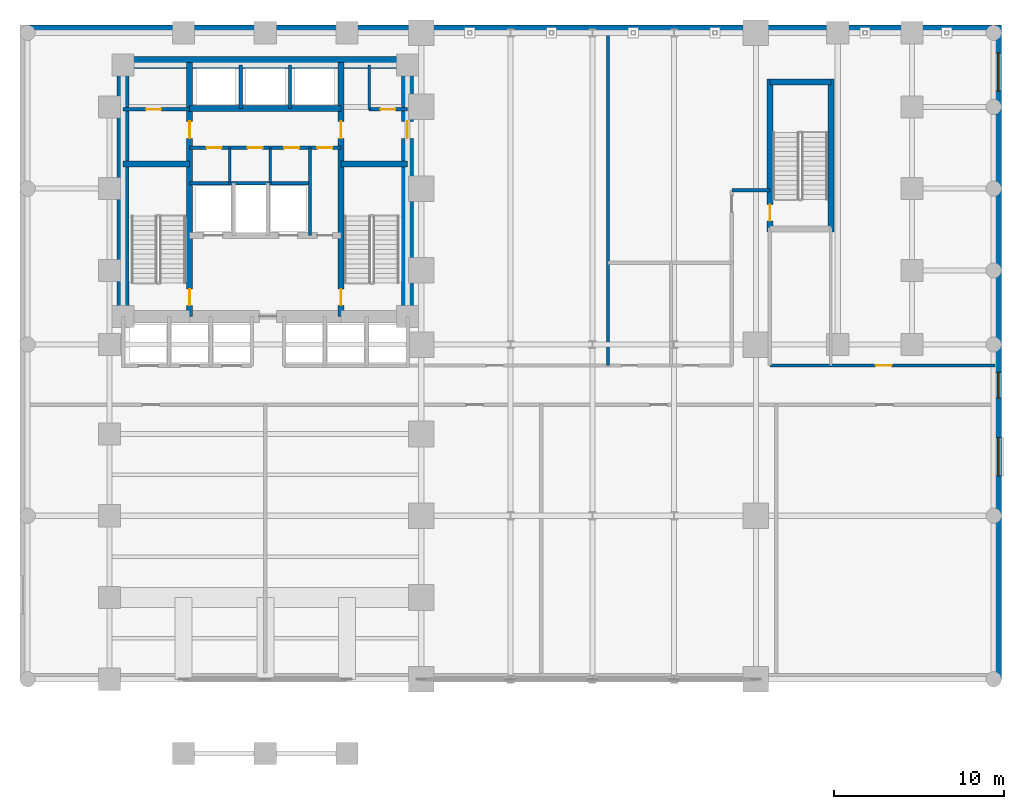
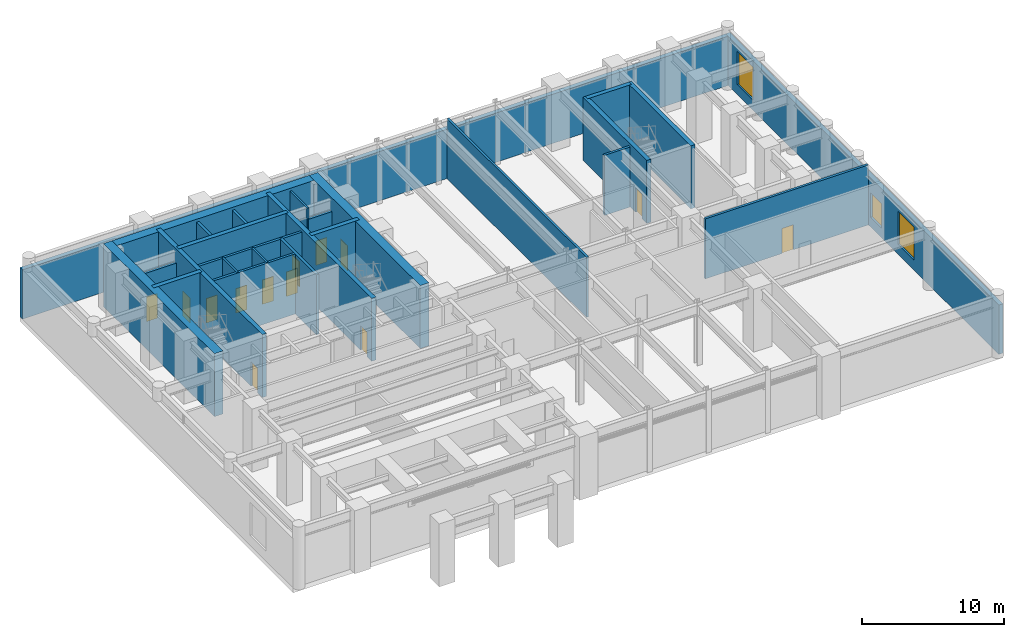
# One storey, part 7 of 10: 26 walls, 13 doors, 3 windows, 16 openings.
"""IFC4 building model written with IfcOpenShell, lengths in metres."""

from ifc_helpers import new_model, si_unit, direction, frame, frame_2d, origin, place, context, subcontext, project, spatial, rectangle, extrude, material, layer, layer_set, type_object, element, fill, save


model = new_model("IFC4")

# Units and contexts
model_context = context("Model", 3, precision=1e-05, world=origin(), true_north=direction((0.0, 1.0)))
body_context = subcontext(model_context, "Body", "Model", "MODEL_VIEW")
ifc_project = project(units=[si_unit("LENGTHUNIT", "METRE"), si_unit("AREAUNIT", "SQUARE_METRE"), si_unit("VOLUMEUNIT", "CUBIC_METRE"), si_unit("PLANEANGLEUNIT", "RADIAN"), si_unit("MASSUNIT", "GRAM", prefix="KILO")], contexts=[model_context])

# Site, building, storey
site_placement = place(None, origin())
site = spatial("IfcSite", under=ifc_project, at=site_placement, CompositionType="ELEMENT")
building_placement = place(site_placement, origin())
building = spatial("IfcBuilding", under=site, at=building_placement, Name="Orvandelia Arch Residences", CompositionType="ELEMENT")
storey_placement = place(building_placement, frame((0.0, 0.0, 19.60009765625)))
storey = spatial("IfcBuildingStorey", under=building, at=storey_placement, Name="L04", CompositionType="ELEMENT", Elevation=19.60009765625)

# Wall, openings, doors
ifc_material_1 = material(Name="Concrete C50/60", Category="concrete")
ifc_layer_1 = layer(ifc_material_1, 0.35009765625, Name="Concrete C50/60", Category="concrete")
ifc_layer_set_1 = layer_set([ifc_layer_1], Name="Concrete C50/60")
wall_type_1 = type_object("IfcWallType", Name="WL-CORE-350", PredefinedType="SHEAR", material=ifc_layer_set_1)
wall_1_placement = place(storey_placement, frame((9.9599609375, 30.89990234375, 0.0), z_axis=(0.0, 0.0, 1.0), x_axis=(0.0, 1.0, 0.0)))
wall_1 = element("IfcWall", 1, at=wall_1_placement, inside=storey, type_object=wall_type_1, Name="Core Shear Wall L04-WEB1", PredefinedType="SHEAR", context=body_context, shape_type="SweptSolid", body=[
    extrude(rectangle(XDim=14.900146484375, YDim=0.35009765625, at=frame_2d((7.4501953125, 0.0))), origin(), (0.0, 0.0, 1.0), 5.39990234375),
])
opening_1_placement = place(wall_1_placement, frame((0.64990234375, 0.0, 0.0)))
opening_1 = element("IfcOpeningElement", 2, at=opening_1_placement, cuts=wall_1, Name="Opening D7", PredefinedType="OPENING", context=body_context, shape_type="SweptSolid", body=[
    extrude(rectangle(XDim=0.949951171875, YDim=2.10009765625, at=frame_2d((0.47509765625, 1.050048828125))), frame((0.0, 0.18505859375, 0.0), z_axis=(0.0, -1.0, 0.0), x_axis=(1.0, 0.0, 0.0)), (0.0, 0.0, 1.0), 0.3701171875),
])
opening_2_placement = place(wall_1_placement, frame((10.449951171875, 0.0, 0.0)))
opening_2 = element("IfcOpeningElement", 3, at=opening_2_placement, cuts=wall_1, Name="Opening D6", PredefinedType="OPENING", context=body_context, shape_type="SweptSolid", body=[
    extrude(rectangle(XDim=1.0, YDim=2.14990234375, at=frame_2d((0.5, 1.074951171875))), frame((0.0, 0.18505859375, 0.0), z_axis=(0.0, -1.0, 0.0), x_axis=(1.0, 0.0, 0.0)), (0.0, 0.0, 1.0), 0.3701171875),
])
ifc_material_2 = material(Name="Smokeproof Painted Steel Fire Door", Category="steel")
door_type_1 = type_object("IfcDoorType", Name="DR-FD60-1000", OperationType="NOTDEFINED", PredefinedType="DOOR", material=ifc_material_2)
door_1_placement = place(opening_2_placement, origin())
door_1 = element("IfcDoor", 4, at=door_1_placement, inside=storey, type_object=door_type_1, Name="High-Rise Lift Hall West Vestibule Door L04", OperationType="SINGLE_SWING_LEFT", OverallHeight=2.14990234375, OverallWidth=1.0, PredefinedType="DOOR", context=body_context, shape_type="SweptSolid", body=[
    extrude(rectangle(XDim=1.0, YDim=2.14990234375, at=frame_2d((0.5, 1.074951171875))), frame((0.0, 0.02490234375, 0.0), z_axis=(0.0, -1.0, 0.0), x_axis=(1.0, 0.0, 0.0)), (0.0, 0.0, 1.0), 0.050048828125),
])
fill(opening_2, door_1)
ifc_material_3 = material(Name="Pressurised Stairwell Fire Door")
door_type_2 = type_object("IfcDoorType", Name="DR-STAIR-950", OperationType="NOTDEFINED", PredefinedType="DOOR", material=ifc_material_3)
door_2_placement = place(opening_1_placement, origin())
door_2 = element("IfcDoor", 5, at=door_2_placement, inside=storey, type_object=door_type_2, Name="Stairwell ST-1 Fire Door L04", OperationType="SINGLE_SWING_LEFT", OverallHeight=2.10009765625, OverallWidth=0.949951171875, PredefinedType="DOOR", context=body_context, shape_type="SweptSolid", body=[
    extrude(rectangle(XDim=0.949951171875, YDim=2.10009765625, at=frame_2d((0.47509765625, 1.050048828125))), frame((0.0, 0.02490234375, 0.0), z_axis=(0.0, -1.0, 0.0), x_axis=(1.0, 0.0, 0.0)), (0.0, 0.0, 1.0), 0.050048828125),
])
fill(opening_1, door_2)

wall_2_placement = place(storey_placement, frame((18.840087890625, 30.89990234375, 0.0), z_axis=(0.0, 0.0, 1.0), x_axis=(0.0, 1.0, 0.0)))
wall_2 = element("IfcWall", 6, at=wall_2_placement, inside=storey, type_object=wall_type_1, Name="Core Shear Wall L04-WEB2", PredefinedType="SHEAR", context=body_context, shape_type="SweptSolid", body=[
    extrude(rectangle(XDim=14.900146484375, YDim=0.35009765625, at=frame_2d((7.4501953125, 0.0))), origin(), (0.0, 0.0, 1.0), 5.39990234375),
])
opening_3_placement = place(wall_2_placement, frame((0.64990234375, 0.0, 0.0)))
opening_3 = element("IfcOpeningElement", 7, at=opening_3_placement, cuts=wall_2, Name="Opening D7", PredefinedType="OPENING", context=body_context, shape_type="SweptSolid", body=[
    extrude(rectangle(XDim=0.949951171875, YDim=2.10009765625, at=frame_2d((0.47509765625, 1.050048828125))), frame((0.0, 0.18505859375, 0.0), z_axis=(0.0, -1.0, 0.0), x_axis=(1.0, 0.0, 0.0)), (0.0, 0.0, 1.0), 0.3701171875),
])
opening_4_placement = place(wall_2_placement, frame((10.449951171875, 0.0, 0.0)))
opening_4 = element("IfcOpeningElement", 8, at=opening_4_placement, cuts=wall_2, Name="Opening D6", PredefinedType="OPENING", context=body_context, shape_type="SweptSolid", body=[
    extrude(rectangle(XDim=1.0, YDim=2.14990234375, at=frame_2d((0.5, 1.074951171875))), frame((0.0, 0.18505859375, 0.0), z_axis=(0.0, -1.0, 0.0), x_axis=(1.0, 0.0, 0.0)), (0.0, 0.0, 1.0), 0.3701171875),
])
door_3_placement = place(opening_4_placement, origin())
door_3 = element("IfcDoor", 9, at=door_3_placement, inside=storey, type_object=door_type_1, Name="High-Rise Lift Hall East Vestibule Door L04", OperationType="SINGLE_SWING_RIGHT", OverallHeight=2.14990234375, OverallWidth=1.0, PredefinedType="DOOR", context=body_context, shape_type="SweptSolid", body=[
    extrude(rectangle(XDim=1.0, YDim=2.14990234375, at=frame_2d((0.5, 1.074951171875))), frame((0.0, 0.02490234375, 0.0), z_axis=(0.0, -1.0, 0.0), x_axis=(1.0, 0.0, 0.0)), (0.0, 0.0, 1.0), 0.050048828125),
])
fill(opening_4, door_3)
door_4_placement = place(opening_3_placement, origin())
door_4 = element("IfcDoor", 10, at=door_4_placement, inside=storey, type_object=door_type_2, Name="Stairwell ST-2 Fire Door L04", OperationType="SINGLE_SWING_RIGHT", OverallHeight=2.10009765625, OverallWidth=0.949951171875, PredefinedType="DOOR", context=body_context, shape_type="SweptSolid", body=[
    extrude(rectangle(XDim=0.949951171875, YDim=2.10009765625, at=frame_2d((0.47509765625, 1.050048828125))), frame((0.0, 0.02490234375, 0.0), z_axis=(0.0, -1.0, 0.0), x_axis=(1.0, 0.0, 0.0)), (0.0, 0.0, 1.0), 0.050048828125),
])
fill(opening_3, door_4)

# Walls
for number, where, z_axis, x_axis, name in (
    (11, (6.050048828125, 39.85009765625, 0.0), (0.0, 0.0, 1.0), (1.0, 0.0, 0.0), "Core Shear Wall L04-HZ1"),
    (12, (18.840087890625, 39.85009765625, 0.0), (0.0, 0.0, 1.0), (1.0, 0.0, 0.0), "Core Shear Wall L04-HZ2"),
):
    element("IfcWall", number, at=place(storey_placement, frame(where, z_axis=z_axis, x_axis=x_axis)), inside=storey, type_object=wall_type_1, Name=name, PredefinedType="SHEAR", context=body_context, shape_type="SweptSolid", body=[
        extrude(rectangle(XDim=3.909912109375, YDim=0.35009765625, at=frame_2d((1.955078125, 0.0))), origin(), (0.0, 0.0, 1.0), 5.39990234375),
    ])
wall_3_placement = place(storey_placement, frame((9.9599609375, 43.10009765625, 0.0), z_axis=(0.0, 0.0, 1.0), x_axis=(1.0, 0.0, 0.0)))
element("IfcWall", 13, at=wall_3_placement, inside=storey, type_object=wall_type_1, Name="Core Shear Wall L04-HZ4", PredefinedType="SHEAR", context=body_context, shape_type="SweptSolid", body=[
    extrude(rectangle(XDim=8.880126953125, YDim=0.35009765625, at=frame_2d((4.43994140625, 0.0))), origin(), (0.0, 0.0, 1.0), 5.39990234375),
])

# Wall, opening, door
wall_4_placement = place(storey_placement, frame((44.02001953125, 35.864990234375, 0.0), z_axis=(0.0, 0.0, 1.0), x_axis=(0.0, 1.0, 0.0)))
wall_4 = element("IfcWall", 14, at=wall_4_placement, inside=storey, type_object=wall_type_1, Name="East Stair Core Shear Wall L04-W", PredefinedType="SHEAR", context=body_context, shape_type="SweptSolid", body=[
    extrude(rectangle(XDim=8.969970703125, YDim=0.35009765625, at=frame_2d((4.48486328125, 0.0))), origin(), (0.0, 0.0, 1.0), 5.39990234375),
])
opening_5_placement = place(wall_4_placement, frame((0.64990234375, 0.0, 0.0)))
opening_5 = element("IfcOpeningElement", 15, at=opening_5_placement, cuts=wall_4, Name="Opening D7", PredefinedType="OPENING", context=body_context, shape_type="SweptSolid", body=[
    extrude(rectangle(XDim=0.949951171875, YDim=2.10009765625, at=frame_2d((0.47509765625, 1.050048828125))), frame((0.0, 0.18505859375, 0.0), z_axis=(0.0, -1.0, 0.0), x_axis=(1.0, 0.0, 0.0)), (0.0, 0.0, 1.0), 0.3701171875),
])
door_5_placement = place(opening_5_placement, origin())
door_5 = element("IfcDoor", 16, at=door_5_placement, inside=storey, type_object=door_type_2, Name="East Stairwell ST-3 Fire Door L04", OperationType="SINGLE_SWING_LEFT", OverallHeight=2.10009765625, OverallWidth=0.949951171875, PredefinedType="DOOR", context=body_context, shape_type="SweptSolid", body=[
    extrude(rectangle(XDim=0.949951171875, YDim=2.10009765625, at=frame_2d((0.47509765625, 1.050048828125))), frame((0.0, 0.02490234375, 0.0), z_axis=(0.0, -1.0, 0.0), x_axis=(1.0, 0.0, 0.0)), (0.0, 0.0, 1.0), 0.050048828125),
])
fill(opening_5, door_5)

# Walls
wall_5_placement = place(storey_placement, frame((47.60009765625, 35.864990234375, 0.0), z_axis=(0.0, 0.0, 1.0), x_axis=(0.0, 1.0, 0.0)))
element("IfcWall", 17, at=wall_5_placement, inside=storey, type_object=wall_type_1, Name="East Stair Core Shear Wall L04-E", PredefinedType="SHEAR", context=body_context, shape_type="SweptSolid", body=[
    extrude(rectangle(XDim=8.969970703125, YDim=0.35009765625, at=frame_2d((4.48486328125, 0.0))), origin(), (0.0, 0.0, 1.0), 5.39990234375),
])
wall_6_placement = place(storey_placement, frame((44.02001953125, 44.659912109375, 0.0), z_axis=(0.0, 0.0, 1.0), x_axis=(1.0, 0.0, 0.0)))
element("IfcWall", 18, at=wall_6_placement, inside=storey, type_object=wall_type_1, Name="East Stair Core Shear Wall L04-N", PredefinedType="SHEAR", context=body_context, shape_type="SweptSolid", body=[
    extrude(rectangle(XDim=3.580078125, YDim=0.35009765625, at=frame_2d((1.7900390625, 0.0))), origin(), (0.0, 0.0, 1.0), 5.39990234375),
])
ifc_material_4 = material(Name="Concrete C80/95", Category="concrete")
ifc_layer_2 = layer(ifc_material_4, 0.699951171875, Name="Concrete C80/95", Category="concrete")
ifc_layer_set_2 = layer_set([ifc_layer_2], Name="Concrete C80/95")
wall_type_2 = type_object("IfcWallType", Name="WL-CORE-700", PredefinedType="SHEAR", material=ifc_layer_set_2)
wall_7_placement = place(storey_placement, frame((6.050048828125, 30.550048828125, 0.0), z_axis=(0.0, 0.0, 1.0), x_axis=(0.0, 1.0, 0.0)))
element("IfcWall", 19, at=wall_7_placement, inside=storey, type_object=wall_type_2, Name="Core Shear Wall L04-W", PredefinedType="SHEAR", context=body_context, shape_type="SweptSolid", body=[
    extrude(rectangle(XDim=15.599853515625, YDim=0.699951171875, at=frame_2d((7.7998046875, 0.0))), origin(), (0.0, 0.0, 1.0), 5.39990234375),
])

# Wall, opening, door
wall_8_placement = place(storey_placement, frame((22.75, 30.550048828125, 0.0), z_axis=(0.0, 0.0, 1.0), x_axis=(0.0, 1.0, 0.0)))
wall_8 = element("IfcWall", 20, at=wall_8_placement, inside=storey, type_object=wall_type_2, Name="Core Shear Wall L04-E", PredefinedType="SHEAR", context=body_context, shape_type="SweptSolid", body=[
    extrude(rectangle(XDim=15.599853515625, YDim=0.699951171875, at=frame_2d((7.7998046875, 0.0))), origin(), (0.0, 0.0, 1.0), 5.39990234375),
])
opening_6_placement = place(wall_8_placement, frame((10.800048828125, 0.0, 0.0)))
opening_6 = element("IfcOpeningElement", 21, at=opening_6_placement, cuts=wall_8, Name="Opening D6", PredefinedType="OPENING", context=body_context, shape_type="SweptSolid", body=[
    extrude(rectangle(XDim=1.0, YDim=2.14990234375, at=frame_2d((0.5, 1.074951171875))), frame((0.0, 0.35986328125, 0.0), z_axis=(0.0, -1.0, 0.0), x_axis=(1.0, 0.0, 0.0)), (0.0, 0.0, 1.0), 0.719970703125),
])
door_6_placement = place(opening_6_placement, origin())
door_6 = element("IfcDoor", 22, at=door_6_placement, inside=storey, type_object=door_type_1, Name="Core East Corridor Link Door L04", OperationType="SINGLE_SWING_LEFT", OverallHeight=2.14990234375, OverallWidth=1.0, PredefinedType="DOOR", context=body_context, shape_type="SweptSolid", body=[
    extrude(rectangle(XDim=1.0, YDim=2.14990234375, at=frame_2d((0.5, 1.074951171875))), frame((0.0, 0.02490234375, 0.0), z_axis=(0.0, -1.0, 0.0), x_axis=(1.0, 0.0, 0.0)), (0.0, 0.0, 1.0), 0.050048828125),
])
fill(opening_6, door_6)

# Wall
wall_9_placement = place(storey_placement, frame((6.050048828125, 45.800048828125, 0.0), z_axis=(0.0, 0.0, 1.0), x_axis=(1.0, 0.0, 0.0)))
element("IfcWall", 23, at=wall_9_placement, inside=storey, type_object=wall_type_2, Name="Core Shear Wall L04-N", PredefinedType="SHEAR", context=body_context, shape_type="SweptSolid", body=[
    extrude(rectangle(XDim=16.699951171875, YDim=0.699951171875, at=frame_2d((8.35009765625, 0.0))), origin(), (0.0, 0.0, 1.0), 5.39990234375),
])

# Wall, opening, door
ifc_material_5 = material(Name="Fire-Rated Corridor Partition")
ifc_layer_3 = layer(ifc_material_5, 0.199951171875, Name="Fire-Rated Corridor Partition")
ifc_layer_set_3 = layer_set([ifc_layer_3], Name="Fire-Rated Corridor Partition")
wall_type_3 = type_object("IfcWallType", Name="WL-CORR-200", PredefinedType="PARTITIONING", material=ifc_layer_set_3)
wall_10_placement = place(storey_placement, frame((44.02001953125, 28.02001953125, 0.0), z_axis=(0.0, 0.0, 1.0), x_axis=(1.0, 0.0, 0.0)))
wall_10 = element("IfcWall", 24, at=wall_10_placement, inside=storey, type_object=wall_type_3, Name="Interior Partition Wall WL-L04-BRG-N2", PredefinedType="PARTITIONING", context=body_context, shape_type="SweptSolid", body=[
    extrude(rectangle(XDim=13.219970703125, YDim=0.199951171875, at=frame_2d((6.60986328125, 0.0))), origin(), (0.0, 0.0, 1.0), 5.14990234375),
])
opening_7_placement = place(wall_10_placement, frame((6.199951171875, 0.0, 0.0)))
opening_7 = element("IfcOpeningElement", 25, at=opening_7_placement, cuts=wall_10, Name="Opening D2", PredefinedType="OPENING", context=body_context, shape_type="SweptSolid", body=[
    extrude(rectangle(XDim=0.949951171875, YDim=2.14990234375, at=frame_2d((0.47509765625, 1.074951171875))), frame((0.0, 0.10986328125, 0.0), z_axis=(0.0, -1.0, 0.0), x_axis=(1.0, 0.0, 0.0)), (0.0, 0.0, 1.0), 0.219970703125),
])
ifc_material_6 = material(Name="Solid-Core Timber Interior Fire Door", Category="wood")
door_type_3 = type_object("IfcDoorType", Name="DR-APT-950", OperationType="NOTDEFINED", PredefinedType="DOOR", material=ifc_material_6)
door_7_placement = place(opening_7_placement, origin())
door_7 = element("IfcDoor", 26, at=door_7_placement, inside=storey, type_object=door_type_3, Name="DR-L04-PNE1", OperationType="SINGLE_SWING_LEFT", OverallHeight=2.14990234375, OverallWidth=0.949951171875, PredefinedType="DOOR", context=body_context, shape_type="SweptSolid", body=[
    extrude(rectangle(XDim=0.949951171875, YDim=2.14990234375, at=frame_2d((0.47509765625, 1.074951171875))), frame((0.0, 0.02490234375, 0.0), z_axis=(0.0, -1.0, 0.0), x_axis=(1.0, 0.0, 0.0)), (0.0, 0.0, 1.0), 0.050048828125),
])
fill(opening_7, door_7)

# Walls
wall_11_placement = place(storey_placement, frame((41.780029296875, 38.300048828125, 0.0), z_axis=(0.0, 0.0, 1.0), x_axis=(1.0, 0.0, 0.0)))
element("IfcWall", 27, at=wall_11_placement, inside=storey, type_object=wall_type_3, Name="Interior Partition Wall WL-L04-BRG-SN", PredefinedType="PARTITIONING", context=body_context, shape_type="SweptSolid", body=[
    extrude(rectangle(XDim=2.239990234375, YDim=0.199951171875, at=frame_2d((1.1201171875, 0.0))), origin(), (0.0, 0.0, 1.0), 5.14990234375),
])
ifc_material_7 = material(Name="Precast concrete C40/50", Category="concrete")
ifc_layer_4 = layer(ifc_material_7, 0.35009765625, Name="Precast concrete C40/50", Category="concrete")
ifc_layer_set_4 = layer_set([ifc_layer_4], Name="Precast concrete C40/50")
wall_type_4 = type_object("IfcWallType", Name="WL-EXT-POD-350", PredefinedType="STANDARD", material=ifc_layer_set_4)
wall_12_placement = place(storey_placement, frame((0.0, 47.824951171875, 0.0), z_axis=(0.0, 0.0, 1.0), x_axis=(1.0, 0.0, 0.0)))
element("IfcWall", 28, at=wall_12_placement, inside=storey, type_object=wall_type_4, Name="Coral-Limestone Precast Facade Wall L04-001", PredefinedType="STANDARD", context=body_context, shape_type="SweptSolid", body=[
    extrude(rectangle(XDim=57.60009765625, YDim=0.35009765625, at=frame_2d((28.800048828125, 0.0))), origin(), (0.0, 0.0, 1.0), 4.22998046875),
])

# Wall, openings, windows
wall_13_placement = place(storey_placement, frame((57.425048828125, 48.0, 0.0), z_axis=(0.0, 0.0, 1.0), x_axis=(0.0, -1.0, 0.0)))
wall_13 = element("IfcWall", 29, at=wall_13_placement, inside=storey, type_object=wall_type_4, Name="Coral-Limestone Precast Facade Wall L04-002", PredefinedType="STANDARD", context=body_context, shape_type="SweptSolid", body=[
    extrude(rectangle(XDim=38.39990234375, YDim=0.35009765625, at=frame_2d((19.199951171875, 0.0))), origin(), (0.0, 0.0, 1.0), 4.22998046875),
])
opening_8_placement = place(wall_13_placement, frame((20.389892578125, 0.0, 0.85009765625)))
opening_8 = element("IfcOpeningElement", 30, at=opening_8_placement, cuts=wall_13, Name="Opening W2", PredefinedType="OPENING", context=body_context, shape_type="SweptSolid", body=[
    extrude(rectangle(XDim=1.5, YDim=2.10009765625, at=frame_2d((0.75, 1.050048828125))), frame((0.0, 0.18505859375, 0.0), z_axis=(0.0, -1.0, 0.0), x_axis=(1.0, 0.0, 0.0)), (0.0, 0.0, 1.0), 0.3701171875),
])
opening_9_placement = place(wall_13_placement, frame((1.625, 0.0, 0.85009765625)))
opening_9 = element("IfcOpeningElement", 31, at=opening_9_placement, cuts=wall_13, Name="Opening W13", PredefinedType="OPENING", context=body_context, shape_type="SweptSolid", body=[
    extrude(rectangle(XDim=2.25, YDim=2.85009765625, at=frame_2d((1.125, 1.425048828125))), frame((0.0, 0.18505859375, 0.0), z_axis=(0.0, -1.0, 0.0), x_axis=(1.0, 0.0, 0.0)), (0.0, 0.0, 1.0), 0.3701171875),
])
opening_10_placement = place(wall_13_placement, frame((24.2099609375, 0.0, 0.85009765625)))
opening_10 = element("IfcOpeningElement", 32, at=opening_10_placement, cuts=wall_13, Name="Opening W13", PredefinedType="OPENING", context=body_context, shape_type="SweptSolid", body=[
    extrude(rectangle(XDim=2.25, YDim=2.85009765625, at=frame_2d((1.125, 1.425048828125))), frame((0.0, 0.18505859375, 0.0), z_axis=(0.0, -1.0, 0.0), x_axis=(1.0, 0.0, 0.0)), (0.0, 0.0, 1.0), 0.3701171875),
])
ifc_material_8 = material(Name="Laminated Acoustic Double Glazing", Category="glass")
window_type_1 = type_object("IfcWindowType", Name="WIN-GAL-2250x2850", PartitioningType="SINGLE_PANEL", PredefinedType="WINDOW", material=ifc_material_8)
window_1_placement = place(opening_9_placement, origin())
window_1 = element("IfcWindow", 33, at=window_1_placement, inside=storey, type_object=window_type_1, Name="Recessed Punched Window L04-002", OverallHeight=2.85009765625, OverallWidth=2.25, PartitioningType="SINGLE_PANEL", PredefinedType="WINDOW", context=body_context, shape_type="SweptSolid", body=[
    extrude(rectangle(XDim=2.25, YDim=2.85009765625, at=frame_2d((1.125, 1.425048828125))), frame((0.0, 0.030029296875, 0.0), z_axis=(0.0, -1.0, 0.0), x_axis=(1.0, 0.0, 0.0)), (0.0, 0.0, 1.0), 0.06005859375),
])
fill(opening_9, window_1)
window_2_placement = place(opening_10_placement, origin())
window_2 = element("IfcWindow", 34, at=window_2_placement, inside=storey, type_object=window_type_1, Name="Recessed Punched Window L04-003", OverallHeight=2.85009765625, OverallWidth=2.25, PartitioningType="SINGLE_PANEL", PredefinedType="WINDOW", context=body_context, shape_type="SweptSolid", body=[
    extrude(rectangle(XDim=2.25, YDim=2.85009765625, at=frame_2d((1.125, 1.425048828125))), frame((0.0, 0.030029296875, 0.0), z_axis=(0.0, -1.0, 0.0), x_axis=(1.0, 0.0, 0.0)), (0.0, 0.0, 1.0), 0.06005859375),
])
fill(opening_10, window_2)
ifc_material_9 = material(Name="Tempered Low-E Insulated Glazing", Category="glass")
window_type_2 = type_object("IfcWindowType", Name="WIN-RES-1500x2100", PartitioningType="SINGLE_PANEL", PredefinedType="WINDOW", material=ifc_material_9)
window_3_placement = place(opening_8_placement, origin())
window_3 = element("IfcWindow", 35, at=window_3_placement, inside=storey, type_object=window_type_2, Name="Recessed Punched Window L04-001", OverallHeight=2.10009765625, OverallWidth=1.5, PartitioningType="SINGLE_PANEL", PredefinedType="WINDOW", context=body_context, shape_type="SweptSolid", body=[
    extrude(rectangle(XDim=1.5, YDim=2.10009765625, at=frame_2d((0.75, 1.050048828125))), frame((0.0, 0.030029296875, 0.0), z_axis=(0.0, -1.0, 0.0), x_axis=(1.0, 0.0, 0.0)), (0.0, 0.0, 1.0), 0.06005859375),
])
fill(opening_8, window_3)

# Walls
ifc_material_10 = material(Name="Acoustic Gypsum Stud Partition")
ifc_layer_5 = layer(ifc_material_10, 0.14990234375, Name="Acoustic Gypsum Stud Partition")
ifc_layer_set_5 = layer_set([ifc_layer_5], Name="Acoustic Gypsum Stud Partition")
wall_type_5 = type_object("IfcWallType", Name="WL-PART-150", PredefinedType="PARTITIONING", material=ifc_layer_set_5)
for number, where, z_axis, x_axis, name in (
    (36, (12.300048828125, 38.719970703125, 0.0), (0.0, 0.0, 1.0), (0.0, 1.0, 0.0), "Interior Partition Wall WL-L04-CSA-1"),
    (37, (14.699951171875, 38.719970703125, 0.0), (0.0, 0.0, 1.0), (0.0, 1.0, 0.0), "Interior Partition Wall WL-L04-CSA-2"),
):
    element("IfcWall", number, at=place(storey_placement, frame(where, z_axis=z_axis, x_axis=x_axis)), inside=storey, type_object=wall_type_5, Name=name, PredefinedType="PARTITIONING", context=body_context, shape_type="SweptSolid", body=[
        extrude(rectangle(XDim=2.080078125, YDim=0.14990234375, at=frame_2d((1.0400390625, 0.0))), origin(), (0.0, 0.0, 1.0), 5.14990234375),
    ])
wall_14_placement = place(storey_placement, frame((20.5, 43.050048828125, 0.0), z_axis=(0.0, 0.0, 1.0), x_axis=(0.0, 1.0, 0.0)))
element("IfcWall", 38, at=wall_14_placement, inside=storey, type_object=wall_type_5, Name="Interior Partition Wall WL-L04-CSB-2W", PredefinedType="PARTITIONING", context=body_context, shape_type="SweptSolid", body=[
    extrude(rectangle(XDim=2.599853515625, YDim=0.14990234375, at=frame_2d((1.2998046875, 0.0))), origin(), (0.0, 0.0, 1.0), 5.14990234375),
])
ifc_material_11 = material(Name="Fire-Rated Shaft Enclosure Wall")
ifc_layer_6 = layer(ifc_material_11, 0.199951171875, Name="Fire-Rated Shaft Enclosure Wall")
ifc_layer_set_6 = layer_set([ifc_layer_6], Name="Fire-Rated Shaft Enclosure Wall")
wall_type_6 = type_object("IfcWallType", Name="WL-SHAFT-200", PredefinedType="POLYGONAL", material=ifc_layer_set_6)
wall_15_placement = place(storey_placement, frame((9.9599609375, 38.719970703125, 0.0), z_axis=(0.0, 0.0, 1.0), x_axis=(1.0, 0.0, 0.0)))
element("IfcWall", 39, at=wall_15_placement, inside=storey, type_object=wall_type_6, Name="Interior Partition Wall WL-L04-FLN", PredefinedType="POLYGONAL", context=body_context, shape_type="SweptSolid", body=[
    extrude(rectangle(XDim=7.06005859375, YDim=0.199951171875, at=frame_2d((3.530029296875, 0.0))), origin(), (0.0, 0.0, 1.0), 5.14990234375),
])
wall_16_placement = place(storey_placement, frame((17.02001953125, 35.64990234375, 0.0), z_axis=(0.0, 0.0, 1.0), x_axis=(0.0, 1.0, 0.0)))
element("IfcWall", 40, at=wall_16_placement, inside=storey, type_object=wall_type_6, Name="Interior Partition Wall WL-L04-FLM3", PredefinedType="POLYGONAL", context=body_context, shape_type="SweptSolid", body=[
    extrude(rectangle(XDim=5.150146484375, YDim=0.199951171875, at=frame_2d((2.5751953125, 0.0))), origin(), (0.0, 0.0, 1.0), 5.14990234375),
])

# Wall, openings, doors
wall_17_placement = place(storey_placement, frame((9.9599609375, 40.800048828125, 0.0), z_axis=(0.0, 0.0, 1.0), x_axis=(1.0, 0.0, 0.0)))
wall_17 = element("IfcWall", 41, at=wall_17_placement, inside=storey, type_object=wall_type_6, Name="Interior Partition Wall WL-L04-HLH-S", PredefinedType="POLYGONAL", context=body_context, shape_type="SweptSolid", body=[
    extrude(rectangle(XDim=8.880126953125, YDim=0.199951171875, at=frame_2d((4.43994140625, 0.0))), origin(), (0.0, 0.0, 1.0), 5.14990234375),
])
opening_11_placement = place(wall_17_placement, frame((7.5, 0.0, 0.0)))
opening_11 = element("IfcOpeningElement", 42, at=opening_11_placement, cuts=wall_17, Name="Opening D5", PredefinedType="OPENING", context=body_context, shape_type="SweptSolid", body=[
    extrude(rectangle(XDim=0.8798828125, YDim=2.10009765625, at=frame_2d((0.43994140625, 1.050048828125))), frame((0.0, 0.10986328125, 0.0), z_axis=(0.0, -1.0, 0.0), x_axis=(1.0, 0.0, 0.0)), (0.0, 0.0, 1.0), 0.219970703125),
])
opening_12_placement = place(wall_17_placement, frame((1.0, 0.0, 0.0)))
opening_12 = element("IfcOpeningElement", 43, at=opening_12_placement, cuts=wall_17, Name="Opening D5", PredefinedType="OPENING", context=body_context, shape_type="SweptSolid", body=[
    extrude(rectangle(XDim=0.8798828125, YDim=2.10009765625, at=frame_2d((0.43994140625, 1.050048828125))), frame((0.0, 0.10986328125, 0.0), z_axis=(0.0, -1.0, 0.0), x_axis=(1.0, 0.0, 0.0)), (0.0, 0.0, 1.0), 0.219970703125),
])
opening_13_placement = place(wall_17_placement, frame((3.39990234375, 0.0, 0.0)))
opening_13 = element("IfcOpeningElement", 44, at=opening_13_placement, cuts=wall_17, Name="Opening D5", PredefinedType="OPENING", context=body_context, shape_type="SweptSolid", body=[
    extrude(rectangle(XDim=0.8798828125, YDim=2.10009765625, at=frame_2d((0.43994140625, 1.050048828125))), frame((0.0, 0.10986328125, 0.0), z_axis=(0.0, -1.0, 0.0), x_axis=(1.0, 0.0, 0.0)), (0.0, 0.0, 1.0), 0.219970703125),
])
opening_14_placement = place(wall_17_placement, frame((5.550048828125, 0.0, 0.0)))
opening_14 = element("IfcOpeningElement", 45, at=opening_14_placement, cuts=wall_17, Name="Opening D5", PredefinedType="OPENING", context=body_context, shape_type="SweptSolid", body=[
    extrude(rectangle(XDim=0.8798828125, YDim=2.10009765625, at=frame_2d((0.43994140625, 1.050048828125))), frame((0.0, 0.10986328125, 0.0), z_axis=(0.0, -1.0, 0.0), x_axis=(1.0, 0.0, 0.0)), (0.0, 0.0, 1.0), 0.219970703125),
])
ifc_material_12 = material(Name="Painted Galvanised Steel Service Door", Category="steel")
door_type_4 = type_object("IfcDoorType", Name="DR-SRV-880", OperationType="NOTDEFINED", PredefinedType="DOOR", material=ifc_material_12)
door_8_placement = place(opening_11_placement, origin())
door_8 = element("IfcDoor", 46, at=door_8_placement, inside=storey, type_object=door_type_4, Name="Core Stairway Passage North Fire Door L04", OperationType="SINGLE_SWING_RIGHT", OverallHeight=2.10009765625, OverallWidth=0.8798828125, PredefinedType="DOOR", context=body_context, shape_type="SweptSolid", body=[
    extrude(rectangle(XDim=0.8798828125, YDim=2.10009765625, at=frame_2d((0.43994140625, 1.050048828125))), frame((0.0, 0.02490234375, 0.0), z_axis=(0.0, -1.0, 0.0), x_axis=(1.0, 0.0, 0.0)), (0.0, 0.0, 1.0), 0.050048828125),
])
fill(opening_11, door_8)
door_9_placement = place(opening_12_placement, origin())
door_9 = element("IfcDoor", 47, at=door_9_placement, inside=storey, type_object=door_type_4, Name="DR-L04-CSA1", OperationType="SINGLE_SWING_LEFT", OverallHeight=2.10009765625, OverallWidth=0.8798828125, PredefinedType="DOOR", context=body_context, shape_type="SweptSolid", body=[
    extrude(rectangle(XDim=0.8798828125, YDim=2.10009765625, at=frame_2d((0.43994140625, 1.050048828125))), frame((0.0, 0.02490234375, 0.0), z_axis=(0.0, -1.0, 0.0), x_axis=(1.0, 0.0, 0.0)), (0.0, 0.0, 1.0), 0.050048828125),
])
fill(opening_12, door_9)
door_10_placement = place(opening_13_placement, origin())
door_10 = element("IfcDoor", 48, at=door_10_placement, inside=storey, type_object=door_type_4, Name="DR-L04-CSA2", OperationType="SINGLE_SWING_RIGHT", OverallHeight=2.10009765625, OverallWidth=0.8798828125, PredefinedType="DOOR", context=body_context, shape_type="SweptSolid", body=[
    extrude(rectangle(XDim=0.8798828125, YDim=2.10009765625, at=frame_2d((0.43994140625, 1.050048828125))), frame((0.0, 0.02490234375, 0.0), z_axis=(0.0, -1.0, 0.0), x_axis=(1.0, 0.0, 0.0)), (0.0, 0.0, 1.0), 0.050048828125),
])
fill(opening_13, door_10)
door_11_placement = place(opening_14_placement, origin())
door_11 = element("IfcDoor", 49, at=door_11_placement, inside=storey, type_object=door_type_4, Name="DR-L04-CSA3", OperationType="SINGLE_SWING_LEFT", OverallHeight=2.10009765625, OverallWidth=0.8798828125, PredefinedType="DOOR", context=body_context, shape_type="SweptSolid", body=[
    extrude(rectangle(XDim=0.8798828125, YDim=2.10009765625, at=frame_2d((0.43994140625, 1.050048828125))), frame((0.0, 0.02490234375, 0.0), z_axis=(0.0, -1.0, 0.0), x_axis=(1.0, 0.0, 0.0)), (0.0, 0.0, 1.0), 0.050048828125),
])
fill(opening_14, door_11)

# Wall, opening, door
wall_18_placement = place(storey_placement, frame((20.5, 43.050048828125, 0.0), z_axis=(0.0, 0.0, 1.0), x_axis=(1.0, 0.0, 0.0)))
wall_18 = element("IfcWall", 50, at=wall_18_placement, inside=storey, type_object=wall_type_6, Name="Interior Partition Wall WL-L04-HLE-N", PredefinedType="POLYGONAL", context=body_context, shape_type="SweptSolid", body=[
    extrude(rectangle(XDim=2.25, YDim=0.199951171875, at=frame_2d((1.125, 0.0))), origin(), (0.0, 0.0, 1.0), 4.22998046875),
])
opening_15_placement = place(wall_18_placement, frame((0.64990234375, 0.0, 0.0)))
opening_15 = element("IfcOpeningElement", 51, at=opening_15_placement, cuts=wall_18, Name="Opening D5", PredefinedType="OPENING", context=body_context, shape_type="SweptSolid", body=[
    extrude(rectangle(XDim=0.8798828125, YDim=2.10009765625, at=frame_2d((0.43994140625, 1.050048828125))), frame((0.0, 0.10986328125, 0.0), z_axis=(0.0, -1.0, 0.0), x_axis=(1.0, 0.0, 0.0)), (0.0, 0.0, 1.0), 0.219970703125),
])
door_12_placement = place(opening_15_placement, origin())
door_12 = element("IfcDoor", 52, at=door_12_placement, inside=storey, type_object=door_type_4, Name="DR-L04-CSB1", OperationType="SINGLE_SWING_RIGHT", OverallHeight=2.10009765625, OverallWidth=0.8798828125, PredefinedType="DOOR", context=body_context, shape_type="SweptSolid", body=[
    extrude(rectangle(XDim=0.8798828125, YDim=2.10009765625, at=frame_2d((0.43994140625, 1.050048828125))), frame((0.0, 0.02490234375, 0.0), z_axis=(0.0, -1.0, 0.0), x_axis=(1.0, 0.0, 0.0)), (0.0, 0.0, 1.0), 0.050048828125),
])
fill(opening_15, door_12)

wall_19_placement = place(storey_placement, frame((6.050048828125, 43.050048828125, 0.0), z_axis=(0.0, 0.0, 1.0), x_axis=(1.0, 0.0, 0.0)))
wall_19 = element("IfcWall", 53, at=wall_19_placement, inside=storey, type_object=wall_type_6, Name="Interior Partition Wall WL-L04-HLW-N", PredefinedType="POLYGONAL", context=body_context, shape_type="SweptSolid", body=[
    extrude(rectangle(XDim=3.909912109375, YDim=0.199951171875, at=frame_2d((1.955078125, 0.0))), origin(), (0.0, 0.0, 1.0), 4.22998046875),
])
opening_16_placement = place(wall_19_placement, frame((1.35009765625, 0.0, 0.0)))
opening_16 = element("IfcOpeningElement", 54, at=opening_16_placement, cuts=wall_19, Name="Opening D5", PredefinedType="OPENING", context=body_context, shape_type="SweptSolid", body=[
    extrude(rectangle(XDim=0.8798828125, YDim=2.10009765625, at=frame_2d((0.43994140625, 1.050048828125))), frame((0.0, 0.10986328125, 0.0), z_axis=(0.0, -1.0, 0.0), x_axis=(1.0, 0.0, 0.0)), (0.0, 0.0, 1.0), 0.219970703125),
])
door_13_placement = place(opening_16_placement, origin())
door_13 = element("IfcDoor", 55, at=door_13_placement, inside=storey, type_object=door_type_4, Name="Riser Service Door L04", OperationType="SINGLE_SWING_RIGHT", OverallHeight=2.10009765625, OverallWidth=0.8798828125, PredefinedType="DOOR", context=body_context, shape_type="SweptSolid", body=[
    extrude(rectangle(XDim=0.8798828125, YDim=2.10009765625, at=frame_2d((0.43994140625, 1.050048828125))), frame((0.0, 0.02490234375, 0.0), z_axis=(0.0, -1.0, 0.0), x_axis=(1.0, 0.0, 0.0)), (0.0, 0.0, 1.0), 0.050048828125),
])
fill(opening_16, door_13)

# Walls
for number, where, z_axis, x_axis, name in (
    (56, (12.949951171875, 43.10009765625, 0.0), (0.0, 0.0, 1.0), (0.0, 1.0, 0.0), "Interior Partition Wall WL-L04-PHD1"),
    (57, (15.85009765625, 43.10009765625, 0.0), (0.0, 0.0, 1.0), (0.0, 1.0, 0.0), "Interior Partition Wall WL-L04-PHD2"),
):
    element("IfcWall", number, at=place(storey_placement, frame(where, z_axis=z_axis, x_axis=x_axis)), inside=storey, type_object=wall_type_6, Name=name, PredefinedType="POLYGONAL", context=body_context, shape_type="SweptSolid", body=[
        extrude(rectangle(XDim=2.5498046875, YDim=0.199951171875, at=frame_2d((1.27490234375, 0.0))), origin(), (0.0, 0.0, 1.0), 5.14990234375),
    ])
ifc_material_13 = material(Name="Moisture-Resistant Plumbing Wall")
ifc_layer_7 = layer(ifc_material_13, 0.179931640625, Name="Moisture-Resistant Plumbing Wall")
ifc_layer_set_7 = layer_set([ifc_layer_7], Name="Moisture-Resistant Plumbing Wall")
wall_type_7 = type_object("IfcWallType", Name="WL-WET-180", PredefinedType="PLUMBINGWALL", material=ifc_layer_set_7)
wall_20_placement = place(storey_placement, frame((34.52001953125, 28.02001953125, 0.0), z_axis=(0.0, 0.0, 1.0), x_axis=(0.0, 1.0, 0.0)))
element("IfcWall", 58, at=wall_20_placement, inside=storey, type_object=wall_type_7, Name="Interior Partition Wall WL-L04-ND1", PredefinedType="PLUMBINGWALL", context=body_context, shape_type="SweptSolid", body=[
    extrude(rectangle(XDim=19.619873046875, YDim=0.179931640625, at=frame_2d((9.81005859375, 0.0))), origin(), (0.0, 0.0, 1.0), 5.14990234375),
])

save(model, "model.ifc")
